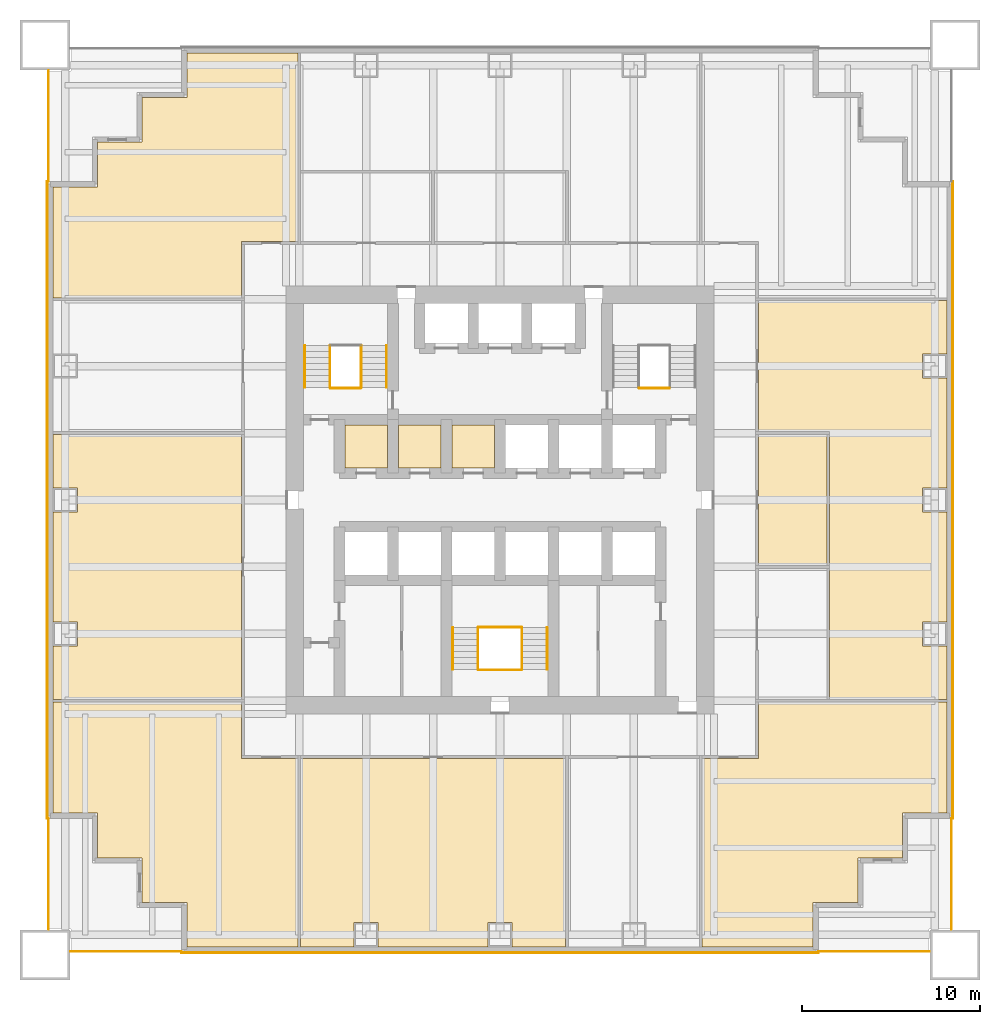
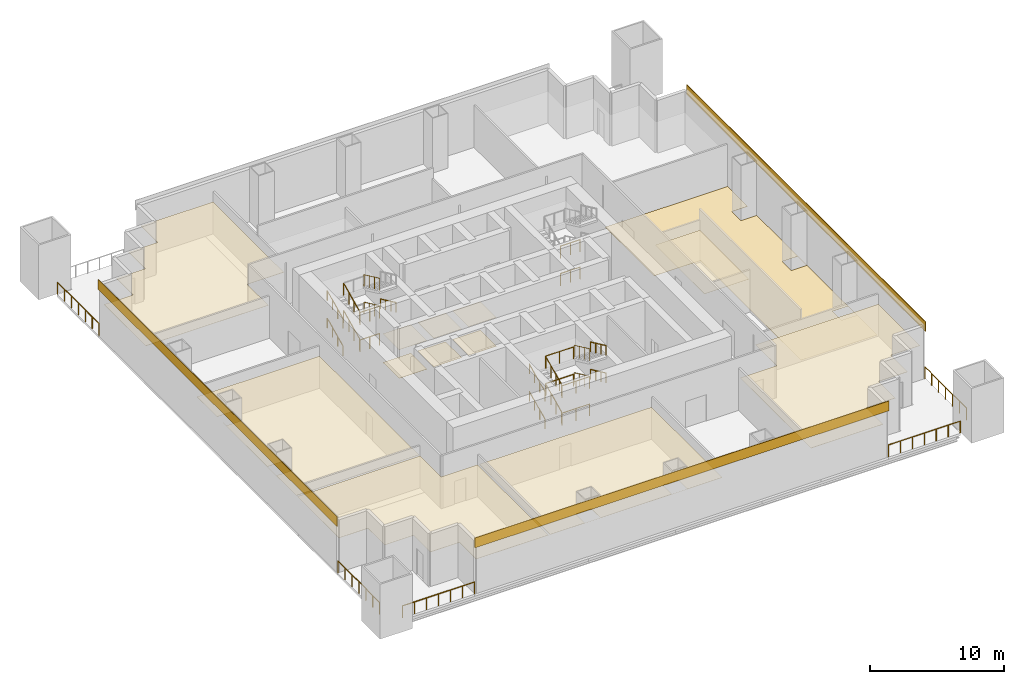
# One storey, part 5 of 6: 28 railings, 16 coverings.
"""IFC4 building model written with IfcOpenShell, lengths in metres."""

from ifc_helpers import new_model, si_unit, direction, frame, origin, origin_2d, place, context, subcontext, project, spatial, polyline, rectangle, circle, outline, extrude, material, layer, layer_set, type_object, element, save


model = new_model("IFC4")

# Units and contexts
model_context = context("Model", 3, precision=1e-05, world=origin(), true_north=direction((0.0, 1.0)))
body_context = subcontext(model_context, "Body", "Model", "MODEL_VIEW")
ifc_project = project(units=[si_unit("LENGTHUNIT", "METRE"), si_unit("AREAUNIT", "SQUARE_METRE"), si_unit("VOLUMEUNIT", "CUBIC_METRE"), si_unit("PLANEANGLEUNIT", "RADIAN"), si_unit("MASSUNIT", "GRAM", prefix="KILO")], contexts=[model_context])

# Site, building, storey
site_placement = place(None, origin())
site = spatial("IfcSite", under=ifc_project, at=site_placement, CompositionType="ELEMENT")
building_placement = place(site_placement, origin())
building = spatial("IfcBuilding", under=site, at=building_placement, Name="Tarangal Relay Tower", CompositionType="ELEMENT")
storey_placement = place(building_placement, frame((0.0, 0.0, 53.39990234375)))
storey = spatial("IfcBuildingStorey", under=building, at=storey_placement, Name="L10", CompositionType="ELEMENT", Elevation=53.39990234375)

# Coverings
ifc_material_1 = material(Name="Anti-static vinyl flooring", Category="plastic")
ifc_layer_1 = layer(ifc_material_1, 0.010009765625)
ifc_layer_set_1 = layer_set([ifc_layer_1], Name="Anti-static vinyl floor")
covering_type_1 = type_object("IfcCoveringType", Name="Anti-static vinyl floor", PredefinedType="FLOORING", material=ifc_layer_set_1)
covering_1_placement = place(storey_placement, origin())
element("IfcCovering", 1, at=covering_1_placement, inside=storey, type_object=covering_type_1, Name="Floor finish FL1 L10-D1", PredefinedType="FLOORING", context=body_context, shape_type="SweptSolid", body=[
    extrude(outline(polyline([(-8.699951171875, 1.800048828125), (-6.300048828125, 1.800048828125), (-6.300048828125, 4.199951171875), (-8.699951171875, 4.199951171875), (-8.699951171875, 1.800048828125)])), origin(), (0.0, 0.0, 1.0), 0.010009765625),
])
covering_2_placement = place(storey_placement, origin())
element("IfcCovering", 2, at=covering_2_placement, inside=storey, type_object=covering_type_1, Name="Floor finish FL1 L10-D2", PredefinedType="FLOORING", context=body_context, shape_type="SweptSolid", body=[
    extrude(outline(polyline([(-5.699951171875, 1.800048828125), (-3.300048828125, 1.800048828125), (-3.300048828125, 4.199951171875), (-5.699951171875, 4.199951171875), (-5.699951171875, 1.800048828125)])), origin(), (0.0, 0.0, 1.0), 0.010009765625),
])
covering_3_placement = place(storey_placement, origin())
element("IfcCovering", 3, at=covering_3_placement, inside=storey, type_object=covering_type_1, Name="Floor finish FL1 L10-D3", PredefinedType="FLOORING", context=body_context, shape_type="SweptSolid", body=[
    extrude(outline(polyline([(-2.699951171875, 1.800048828125), (-0.300048828125, 1.800048828125), (-0.300048828125, 4.199951171875), (-2.699951171875, 4.199951171875), (-2.699951171875, 1.800048828125)])), origin(), (0.0, 0.0, 1.0), 0.010009765625),
])
covering_4_placement = place(storey_placement, origin())
element("IfcCovering", 4, at=covering_4_placement, inside=storey, type_object=covering_type_1, Name="Floor finish FL1 L10-05", PredefinedType="FLOORING", context=body_context, shape_type="SweptSolid", body=[
    extrude(outline(polyline([(25.050048828125, -11.175048828125), (25.050048828125, 11.175048828125), (14.47509765625, 11.175048828125), (14.47509765625, 3.824951171875), (18.47509765625, 3.824951171875), (18.47509765625, -11.175048828125), (25.050048828125, -11.175048828125)]), holes=[polyline([(25.0400390625, -8.175048828125), (25.0400390625, -6.824951171875), (23.68994140625, -6.824951171875), (23.68994140625, -8.175048828125), (25.0400390625, -8.175048828125)]), polyline([(23.68994140625, -0.675048828125), (25.0400390625, -0.675048828125), (25.0400390625, 0.675048828125), (23.68994140625, 0.675048828125), (23.68994140625, -0.675048828125)]), polyline([(23.68994140625, 6.824951171875), (25.0400390625, 6.824951171875), (25.0400390625, 8.175048828125), (23.68994140625, 8.175048828125), (23.68994140625, 6.824951171875)])]), origin(), (0.0, 0.0, 1.0), 0.010009765625),
])
ifc_material_2 = material(Name="Black anodised aluminium cladding", Category="aluminium")
ifc_layer_2 = layer(ifc_material_2, 0.050048828125)
ifc_layer_set_2 = layer_set([ifc_layer_2], Name="Black metal spandrel band")
covering_type_2 = type_object("IfcCoveringType", Name="Black metal spandrel band", PredefinedType="CLADDING", material=ifc_layer_set_2)
for number, where, z_axis, x_axis, name in (
    (5, (25.375, 0.0, 4.250244140625), (0.0, 0.0, 1.0), (0.0, -1.0, 0.0), "Spandrel band SB1 E L10"),
    (6, (0.0, -25.375, 4.250244140625), (0.0, 0.0, 1.0), (-1.0, 0.0, 0.0), "Spandrel band SB1 S L10"),
    (7, (-25.375, 0.0, 4.250244140625), (0.0, 0.0, 1.0), (0.0, 1.0, 0.0), "Spandrel band SB1 W L10"),
):
    element("IfcCovering", number, at=place(storey_placement, frame(where, z_axis=z_axis, x_axis=x_axis)), inside=storey, type_object=covering_type_2, Name=name, PredefinedType="CLADDING", context=body_context, shape_type="SweptSolid", body=[
        extrude(rectangle(XDim=35.699951171875, YDim=0.050048828125, at=origin_2d()), origin(), (0.0, 0.0, 1.0), 0.89990234375),
    ])

# Railings
ifc_material_3 = material(Name="Steel guard, black finish", Category="steel")
railing_type_1 = type_object("IfcRailingType", Name="Stair guard 1100", PredefinedType="GUARDRAIL", material=ifc_material_3)
railing_1_placement = place(storey_placement, frame((-9.530029296875, 6.300048828125, 0.15625)))
element("IfcRailing", 8, at=railing_1_placement, inside=storey, type_object=railing_type_1, Name="Stair ST-A guard GR1 L10 flight 1", PredefinedType="GUARDRAIL", context=body_context, shape_type="SweptSolid", body=[
    extrude(circle(Radius=0.02392578125, at=origin_2d()), frame((0.0, 0.0, 1.076171875), z_axis=(0.0, 0.90626748934, 0.422704669676), x_axis=(-1.0, 0.0, 0.0)), (0.0, 0.0, 1.0), 2.58740234375),
    extrude(circle(Radius=0.02099609375, at=origin_2d()), origin(), (0.0, 0.0, 1.0), 1.052001953125),
    extrude(circle(Radius=0.02099609375, at=origin_2d()), frame((0.0, 0.78173828125, 0.364501953125)), (0.0, 0.0, 1.0), 1.052001953125),
    extrude(circle(Radius=0.02099609375, at=origin_2d()), frame((0.0, 1.563232421875, 0.729248046875)), (0.0, 0.0, 1.0), 1.052001953125),
    extrude(circle(Radius=0.02099609375, at=origin_2d()), frame((0.0, 2.344970703125, 1.09375)), (0.0, 0.0, 1.0), 1.052001953125),
])
railing_2_placement = place(storey_placement, frame((-7.77001953125, 8.64501953125, 1.40625)))
element("IfcRailing", 9, at=railing_2_placement, inside=storey, type_object=railing_type_1, Name="Stair ST-A guard GR1 L10 flight 2", PredefinedType="GUARDRAIL", context=body_context, shape_type="SweptSolid", body=[
    extrude(circle(Radius=0.02392578125, at=origin_2d()), frame((0.0, 0.0, 1.076171875), z_axis=(0.0, -0.90626748934, 0.422704669676), x_axis=(1.0, 0.0, 0.0)), (0.0, 0.0, 1.0), 2.58740234375),
    extrude(circle(Radius=0.02099609375, at=origin_2d()), origin(), (0.0, 0.0, 1.0), 1.052001953125),
    extrude(circle(Radius=0.02099609375, at=origin_2d()), frame((0.0, -0.78173828125, 0.364501953125)), (0.0, 0.0, 1.0), 1.052001953125),
    extrude(circle(Radius=0.02099609375, at=origin_2d()), frame((0.0, -1.563232421875, 0.729248046875)), (0.0, 0.0, 1.0), 1.052001953125),
    extrude(circle(Radius=0.02099609375, at=origin_2d()), frame((0.0, -2.344970703125, 1.09375)), (0.0, 0.0, 1.0), 1.052001953125),
])
railing_3_placement = place(storey_placement, frame((-9.530029296875, 6.300048828125, 2.65625)))
element("IfcRailing", 10, at=railing_3_placement, inside=storey, type_object=railing_type_1, Name="Stair ST-A guard GR1 L10 flight 3", PredefinedType="GUARDRAIL", context=body_context, shape_type="SweptSolid", body=[
    extrude(circle(Radius=0.02392578125, at=origin_2d()), frame((0.0, 0.0, 1.076171875), z_axis=(0.0, 0.90626748934, 0.422704669676), x_axis=(-1.0, 0.0, 0.0)), (0.0, 0.0, 1.0), 2.58740234375),
    extrude(circle(Radius=0.02099609375, at=origin_2d()), origin(), (0.0, 0.0, 1.0), 1.052001953125),
    extrude(circle(Radius=0.02099609375, at=origin_2d()), frame((0.0, 0.78173828125, 0.364501953125)), (0.0, 0.0, 1.0), 1.052001953125),
    extrude(circle(Radius=0.02099609375, at=origin_2d()), frame((0.0, 1.563232421875, 0.729248046875)), (0.0, 0.0, 1.0), 1.052001953125),
    extrude(circle(Radius=0.02099609375, at=origin_2d()), frame((0.0, 2.344970703125, 1.09375)), (0.0, 0.0, 1.0), 1.052001953125),
])
railing_4_placement = place(storey_placement, frame((-7.77001953125, 8.64501953125, 3.90625)))
element("IfcRailing", 11, at=railing_4_placement, inside=storey, type_object=railing_type_1, Name="Stair ST-A guard GR1 L10 flight 4", PredefinedType="GUARDRAIL", context=body_context, shape_type="SweptSolid", body=[
    extrude(circle(Radius=0.02392578125, at=origin_2d()), frame((0.0, 0.0, 1.076171875), z_axis=(0.0, -0.90626748934, 0.422704669676), x_axis=(1.0, 0.0, 0.0)), (0.0, 0.0, 1.0), 2.58740234375),
    extrude(circle(Radius=0.02099609375, at=origin_2d()), origin(), (0.0, 0.0, 1.0), 1.052001953125),
    extrude(circle(Radius=0.02099609375, at=origin_2d()), frame((0.0, -0.78173828125, 0.364501953125)), (0.0, 0.0, 1.0), 1.052001953125),
    extrude(circle(Radius=0.02099609375, at=origin_2d()), frame((0.0, -1.563232421875, 0.729248046875)), (0.0, 0.0, 1.0), 1.052001953125),
    extrude(circle(Radius=0.02099609375, at=origin_2d()), frame((0.0, -2.344970703125, 1.09375)), (0.0, 0.0, 1.0), 1.052001953125),
])
for number, where, name in (
    (12, (-9.5, 6.27001953125, 0.0), "Stair ST-A landing guard GR1 L10"),
    (13, (-9.5, 6.27001953125, 2.5), "Stair ST-A landing guard GR1 L10"),
    (14, (7.800048828125, 6.27001953125, 0.0), "Stair ST-B landing guard GR1 L10"),
    (15, (7.800048828125, 6.27001953125, 2.5), "Stair ST-B landing guard GR1 L10"),
):
    element("IfcRailing", number, at=place(storey_placement, frame(where)), inside=storey, type_object=railing_type_1, Name=name, PredefinedType="GUARDRAIL", context=body_context, shape_type="SweptSolid", body=[
        extrude(circle(Radius=0.02392578125, at=origin_2d()), frame((0.0, 0.0, 1.076171875), z_axis=(1.0, 0.0, 0.0), x_axis=(0.0, 1.0, 0.0)), (0.0, 0.0, 1.0), 1.699951171875),
        extrude(circle(Radius=0.02099609375, at=origin_2d()), origin(), (0.0, 0.0, 1.0), 1.052001953125),
        extrude(circle(Radius=0.02099609375, at=origin_2d()), frame((0.85009765625, 0.0, 0.0)), (0.0, 0.0, 1.0), 1.052001953125),
        extrude(circle(Radius=0.02099609375, at=origin_2d()), frame((1.699951171875, 0.0, 0.0)), (0.0, 0.0, 1.0), 1.052001953125),
    ])
railing_5_placement = place(storey_placement, frame((-1.22998046875, -9.5, 0.15625)))
element("IfcRailing", 16, at=railing_5_placement, inside=storey, type_object=railing_type_1, Name="Stair ST-C guard GR1 L10 flight 1", PredefinedType="GUARDRAIL", context=body_context, shape_type="SweptSolid", body=[
    extrude(circle(Radius=0.02392578125, at=origin_2d()), frame((0.0, 0.0, 1.076171875), z_axis=(0.0, 0.90626748934, 0.422704669676), x_axis=(-1.0, 0.0, 0.0)), (0.0, 0.0, 1.0), 2.58740234375),
    extrude(circle(Radius=0.02099609375, at=origin_2d()), origin(), (0.0, 0.0, 1.0), 1.052001953125),
    extrude(circle(Radius=0.02099609375, at=origin_2d()), frame((0.0, 0.78173828125, 0.364501953125)), (0.0, 0.0, 1.0), 1.052001953125),
    extrude(circle(Radius=0.02099609375, at=origin_2d()), frame((0.0, 1.563232421875, 0.729248046875)), (0.0, 0.0, 1.0), 1.052001953125),
    extrude(circle(Radius=0.02099609375, at=origin_2d()), frame((0.0, 2.344970703125, 1.09375)), (0.0, 0.0, 1.0), 1.052001953125),
])
railing_6_placement = place(storey_placement, frame((1.22998046875, -7.155029296875, 1.40625)))
element("IfcRailing", 17, at=railing_6_placement, inside=storey, type_object=railing_type_1, Name="Stair ST-C guard GR1 L10 flight 2", PredefinedType="GUARDRAIL", context=body_context, shape_type="SweptSolid", body=[
    extrude(circle(Radius=0.02392578125, at=origin_2d()), frame((0.0, 0.0, 1.076171875), z_axis=(0.0, -0.90626748934, 0.422704669676), x_axis=(1.0, 0.0, 0.0)), (0.0, 0.0, 1.0), 2.58740234375),
    extrude(circle(Radius=0.02099609375, at=origin_2d()), origin(), (0.0, 0.0, 1.0), 1.052001953125),
    extrude(circle(Radius=0.02099609375, at=origin_2d()), frame((0.0, -0.78173828125, 0.364501953125)), (0.0, 0.0, 1.0), 1.052001953125),
    extrude(circle(Radius=0.02099609375, at=origin_2d()), frame((0.0, -1.563232421875, 0.729248046875)), (0.0, 0.0, 1.0), 1.052001953125),
    extrude(circle(Radius=0.02099609375, at=origin_2d()), frame((0.0, -2.344970703125, 1.09375)), (0.0, 0.0, 1.0), 1.052001953125),
])
railing_7_placement = place(storey_placement, frame((-1.22998046875, -9.5, 2.65625)))
element("IfcRailing", 18, at=railing_7_placement, inside=storey, type_object=railing_type_1, Name="Stair ST-C guard GR1 L10 flight 3", PredefinedType="GUARDRAIL", context=body_context, shape_type="SweptSolid", body=[
    extrude(circle(Radius=0.02392578125, at=origin_2d()), frame((0.0, 0.0, 1.076171875), z_axis=(0.0, 0.90626748934, 0.422704669676), x_axis=(-1.0, 0.0, 0.0)), (0.0, 0.0, 1.0), 2.58740234375),
    extrude(circle(Radius=0.02099609375, at=origin_2d()), origin(), (0.0, 0.0, 1.0), 1.052001953125),
    extrude(circle(Radius=0.02099609375, at=origin_2d()), frame((0.0, 0.78173828125, 0.364501953125)), (0.0, 0.0, 1.0), 1.052001953125),
    extrude(circle(Radius=0.02099609375, at=origin_2d()), frame((0.0, 1.563232421875, 0.729248046875)), (0.0, 0.0, 1.0), 1.052001953125),
    extrude(circle(Radius=0.02099609375, at=origin_2d()), frame((0.0, 2.344970703125, 1.09375)), (0.0, 0.0, 1.0), 1.052001953125),
])
railing_8_placement = place(storey_placement, frame((1.22998046875, -7.155029296875, 3.90625)))
element("IfcRailing", 19, at=railing_8_placement, inside=storey, type_object=railing_type_1, Name="Stair ST-C guard GR1 L10 flight 4", PredefinedType="GUARDRAIL", context=body_context, shape_type="SweptSolid", body=[
    extrude(circle(Radius=0.02392578125, at=origin_2d()), frame((0.0, 0.0, 1.076171875), z_axis=(0.0, -0.90626748934, 0.422704669676), x_axis=(1.0, 0.0, 0.0)), (0.0, 0.0, 1.0), 2.58740234375),
    extrude(circle(Radius=0.02099609375, at=origin_2d()), origin(), (0.0, 0.0, 1.0), 1.052001953125),
    extrude(circle(Radius=0.02099609375, at=origin_2d()), frame((0.0, -0.78173828125, 0.364501953125)), (0.0, 0.0, 1.0), 1.052001953125),
    extrude(circle(Radius=0.02099609375, at=origin_2d()), frame((0.0, -1.563232421875, 0.729248046875)), (0.0, 0.0, 1.0), 1.052001953125),
    extrude(circle(Radius=0.02099609375, at=origin_2d()), frame((0.0, -2.344970703125, 1.09375)), (0.0, 0.0, 1.0), 1.052001953125),
])
for number, where, name in (
    (20, (-1.199951171875, -9.530029296875, 0.0), "Stair ST-C landing guard GR1 L10"),
    (21, (-1.199951171875, -7.125, 1.25), "Stair ST-C landing guard GR1 L10"),
    (22, (-1.199951171875, -9.530029296875, 2.5), "Stair ST-C landing guard GR1 L10"),
    (23, (-1.199951171875, -7.125, 3.75), "Stair ST-C landing guard GR1 L10"),
):
    element("IfcRailing", number, at=place(storey_placement, frame(where)), inside=storey, type_object=railing_type_1, Name=name, PredefinedType="GUARDRAIL", context=body_context, shape_type="SweptSolid", body=[
        extrude(circle(Radius=0.02392578125, at=origin_2d()), frame((0.0, 0.0, 1.076171875), z_axis=(1.0, 0.0, 0.0), x_axis=(0.0, 1.0, 0.0)), (0.0, 0.0, 1.0), 2.39990234375),
        extrude(circle(Radius=0.02099609375, at=origin_2d()), origin(), (0.0, 0.0, 1.0), 1.052001953125),
        extrude(circle(Radius=0.02099609375, at=origin_2d()), frame((1.199951171875, 0.0, 0.0)), (0.0, 0.0, 1.0), 1.052001953125),
        extrude(circle(Radius=0.02099609375, at=origin_2d()), frame((2.39990234375, 0.0, 0.0)), (0.0, 0.0, 1.0), 1.052001953125),
    ])
ifc_material_4 = material(Name="Steel handrail, black finish", Category="steel")
railing_type_2 = type_object("IfcRailingType", Name="Stair handrail 900", PredefinedType="HANDRAIL", material=ifc_material_4)
railing_9_placement = place(storey_placement, frame((-10.93994140625, 6.300048828125, 0.15625)))
element("IfcRailing", 24, at=railing_9_placement, inside=storey, type_object=railing_type_2, Name="Stair ST-A handrail HR1 L10 flight 1", PredefinedType="HANDRAIL", context=body_context, shape_type="SweptSolid", body=[
    extrude(circle(Radius=0.02392578125, at=origin_2d()), frame((0.0, 0.0, 0.8759765625), z_axis=(0.0, 0.90626748934, 0.422704669676), x_axis=(-1.0, 0.0, 0.0)), (0.0, 0.0, 1.0), 2.58740234375),
    extrude(circle(Radius=0.02099609375, at=origin_2d()), origin(), (0.0, 0.0, 1.0), 0.851806640625),
    extrude(circle(Radius=0.02099609375, at=origin_2d()), frame((0.0, 0.78173828125, 0.364501953125)), (0.0, 0.0, 1.0), 0.851806640625),
    extrude(circle(Radius=0.02099609375, at=origin_2d()), frame((0.0, 1.563232421875, 0.729248046875)), (0.0, 0.0, 1.0), 0.851806640625),
    extrude(circle(Radius=0.02099609375, at=origin_2d()), frame((0.0, 2.344970703125, 1.09375)), (0.0, 0.0, 1.0), 0.851806640625),
])
railing_10_placement = place(storey_placement, frame((-6.360107421875, 8.64501953125, 1.40625)))
element("IfcRailing", 25, at=railing_10_placement, inside=storey, type_object=railing_type_2, Name="Stair ST-A handrail HR1 L10 flight 2", PredefinedType="HANDRAIL", context=body_context, shape_type="SweptSolid", body=[
    extrude(circle(Radius=0.02392578125, at=origin_2d()), frame((0.0, 0.0, 0.8759765625), z_axis=(0.0, -0.90626748934, 0.422704669676), x_axis=(1.0, 0.0, 0.0)), (0.0, 0.0, 1.0), 2.58740234375),
    extrude(circle(Radius=0.02099609375, at=origin_2d()), origin(), (0.0, 0.0, 1.0), 0.851806640625),
    extrude(circle(Radius=0.02099609375, at=origin_2d()), frame((0.0, -0.78173828125, 0.364501953125)), (0.0, 0.0, 1.0), 0.851806640625),
    extrude(circle(Radius=0.02099609375, at=origin_2d()), frame((0.0, -1.563232421875, 0.729248046875)), (0.0, 0.0, 1.0), 0.851806640625),
    extrude(circle(Radius=0.02099609375, at=origin_2d()), frame((0.0, -2.344970703125, 1.09375)), (0.0, 0.0, 1.0), 0.851806640625),
])
for number, where, name in (
    (26, (-10.93994140625, 6.300048828125, 2.65625), "Stair ST-A handrail HR1 L10 flight 3"),
    (27, (-2.639892578125, -9.5, 0.15625), "Stair ST-C handrail HR1 L10 flight 1"),
):
    element("IfcRailing", number, at=place(storey_placement, frame(where)), inside=storey, type_object=railing_type_2, Name=name, PredefinedType="HANDRAIL", context=body_context, shape_type="SweptSolid", body=[
        extrude(circle(Radius=0.02392578125, at=origin_2d()), frame((0.0, 0.0, 0.8759765625), z_axis=(0.0, 0.90626748934, 0.422704669676), x_axis=(-1.0, 0.0, 0.0)), (0.0, 0.0, 1.0), 2.58740234375),
        extrude(circle(Radius=0.02099609375, at=origin_2d()), origin(), (0.0, 0.0, 1.0), 0.851806640625),
        extrude(circle(Radius=0.02099609375, at=origin_2d()), frame((0.0, 0.78173828125, 0.364501953125)), (0.0, 0.0, 1.0), 0.851806640625),
        extrude(circle(Radius=0.02099609375, at=origin_2d()), frame((0.0, 1.563232421875, 0.729248046875)), (0.0, 0.0, 1.0), 0.851806640625),
        extrude(circle(Radius=0.02099609375, at=origin_2d()), frame((0.0, 2.344970703125, 1.09375)), (0.0, 0.0, 1.0), 0.851806640625),
    ])
railing_11_placement = place(storey_placement, frame((2.639892578125, -7.155029296875, 1.40625)))
element("IfcRailing", 28, at=railing_11_placement, inside=storey, type_object=railing_type_2, Name="Stair ST-C handrail HR1 L10 flight 2", PredefinedType="HANDRAIL", context=body_context, shape_type="SweptSolid", body=[
    extrude(circle(Radius=0.02392578125, at=origin_2d()), frame((0.0, 0.0, 0.8759765625), z_axis=(0.0, -0.90626748934, 0.422704669676), x_axis=(1.0, 0.0, 0.0)), (0.0, 0.0, 1.0), 2.58740234375),
    extrude(circle(Radius=0.02099609375, at=origin_2d()), origin(), (0.0, 0.0, 1.0), 0.851806640625),
    extrude(circle(Radius=0.02099609375, at=origin_2d()), frame((0.0, -0.78173828125, 0.364501953125)), (0.0, 0.0, 1.0), 0.851806640625),
    extrude(circle(Radius=0.02099609375, at=origin_2d()), frame((0.0, -1.563232421875, 0.729248046875)), (0.0, 0.0, 1.0), 0.851806640625),
    extrude(circle(Radius=0.02099609375, at=origin_2d()), frame((0.0, -2.344970703125, 1.09375)), (0.0, 0.0, 1.0), 0.851806640625),
])
railing_12_placement = place(storey_placement, frame((-2.639892578125, -9.5, 2.65625)))
element("IfcRailing", 29, at=railing_12_placement, inside=storey, type_object=railing_type_2, Name="Stair ST-C handrail HR1 L10 flight 3", PredefinedType="HANDRAIL", context=body_context, shape_type="SweptSolid", body=[
    extrude(circle(Radius=0.02392578125, at=origin_2d()), frame((0.0, 0.0, 0.8759765625), z_axis=(0.0, 0.90626748934, 0.422704669676), x_axis=(-1.0, 0.0, 0.0)), (0.0, 0.0, 1.0), 2.58740234375),
    extrude(circle(Radius=0.02099609375, at=origin_2d()), origin(), (0.0, 0.0, 1.0), 0.851806640625),
    extrude(circle(Radius=0.02099609375, at=origin_2d()), frame((0.0, 0.78173828125, 0.364501953125)), (0.0, 0.0, 1.0), 0.851806640625),
    extrude(circle(Radius=0.02099609375, at=origin_2d()), frame((0.0, 1.563232421875, 0.729248046875)), (0.0, 0.0, 1.0), 0.851806640625),
    extrude(circle(Radius=0.02099609375, at=origin_2d()), frame((0.0, 2.344970703125, 1.09375)), (0.0, 0.0, 1.0), 0.851806640625),
])
railing_13_placement = place(storey_placement, frame((2.639892578125, -7.155029296875, 3.90625)))
element("IfcRailing", 30, at=railing_13_placement, inside=storey, type_object=railing_type_2, Name="Stair ST-C handrail HR1 L10 flight 4", PredefinedType="HANDRAIL", context=body_context, shape_type="SweptSolid", body=[
    extrude(circle(Radius=0.02392578125, at=origin_2d()), frame((0.0, 0.0, 0.8759765625), z_axis=(0.0, -0.90626748934, 0.422704669676), x_axis=(1.0, 0.0, 0.0)), (0.0, 0.0, 1.0), 2.58740234375),
    extrude(circle(Radius=0.02099609375, at=origin_2d()), origin(), (0.0, 0.0, 1.0), 0.851806640625),
    extrude(circle(Radius=0.02099609375, at=origin_2d()), frame((0.0, -0.78173828125, 0.364501953125)), (0.0, 0.0, 1.0), 0.851806640625),
    extrude(circle(Radius=0.02099609375, at=origin_2d()), frame((0.0, -1.563232421875, 0.729248046875)), (0.0, 0.0, 1.0), 0.851806640625),
    extrude(circle(Radius=0.02099609375, at=origin_2d()), frame((0.0, -2.344970703125, 1.09375)), (0.0, 0.0, 1.0), 0.851806640625),
])

# Coverings
ifc_material_5 = material(Name="Mineral fibre ceiling tiles", Category="gypsum")
ifc_layer_3 = layer(ifc_material_5, 0.02001953125)
ifc_layer_set_3 = layer_set([ifc_layer_3], Name="Suspended ceiling")
covering_type_3 = type_object("IfcCoveringType", Name="Suspended ceiling", PredefinedType="CEILING", material=ifc_layer_set_3)
covering_5_placement = place(storey_placement, frame((0.0, 0.0, 2.60009765625)))
element("IfcCovering", 31, at=covering_5_placement, inside=storey, type_object=covering_type_3, Name="Suspended ceiling CL1 L10-D1", PredefinedType="CEILING", context=body_context, shape_type="SweptSolid", body=[
    extrude(outline(polyline([(-8.699951171875, 1.800048828125), (-6.300048828125, 1.800048828125), (-6.300048828125, 4.199951171875), (-8.699951171875, 4.199951171875), (-8.699951171875, 1.800048828125)])), origin(), (0.0, 0.0, 1.0), 0.02001953125),
])
covering_6_placement = place(storey_placement, frame((0.0, 0.0, 2.60009765625)))
element("IfcCovering", 32, at=covering_6_placement, inside=storey, type_object=covering_type_3, Name="Suspended ceiling CL1 L10-D2", PredefinedType="CEILING", context=body_context, shape_type="SweptSolid", body=[
    extrude(outline(polyline([(-5.699951171875, 1.800048828125), (-3.300048828125, 1.800048828125), (-3.300048828125, 4.199951171875), (-5.699951171875, 4.199951171875), (-5.699951171875, 1.800048828125)])), origin(), (0.0, 0.0, 1.0), 0.02001953125),
])
covering_7_placement = place(storey_placement, frame((0.0, 0.0, 2.60009765625)))
element("IfcCovering", 33, at=covering_7_placement, inside=storey, type_object=covering_type_3, Name="Suspended ceiling CL1 L10-D3", PredefinedType="CEILING", context=body_context, shape_type="SweptSolid", body=[
    extrude(outline(polyline([(-2.699951171875, 1.800048828125), (-0.300048828125, 1.800048828125), (-0.300048828125, 4.199951171875), (-2.699951171875, 4.199951171875), (-2.699951171875, 1.800048828125)])), origin(), (0.0, 0.0, 1.0), 0.02001953125),
])
covering_8_placement = place(storey_placement, frame((0.0, 0.0, 2.900146484375)))
element("IfcCovering", 34, at=covering_8_placement, inside=storey, type_object=covering_type_3, Name="Suspended ceiling CL1 L10-06", PredefinedType="CEILING", context=body_context, shape_type="SweptSolid", body=[
    extrude(outline(polyline([(18.324951171875, 3.675048828125), (14.47509765625, 3.675048828125), (14.47509765625, -3.675048828125), (18.324951171875, -3.675048828125), (18.324951171875, 3.675048828125)])), origin(), (0.0, 0.0, 1.0), 0.02001953125),
])
covering_9_placement = place(storey_placement, frame((0.0, 0.0, 2.900146484375)))
element("IfcCovering", 35, at=covering_9_placement, inside=storey, type_object=covering_type_3, Name="Suspended ceiling CL1 L10-09", PredefinedType="CEILING", context=body_context, shape_type="SweptSolid", body=[
    extrude(outline(polyline([(-11.175048828125, -25.050048828125), (3.675048828125, -25.050048828125), (3.675048828125, -14.47509765625), (-11.175048828125, -14.47509765625), (-11.175048828125, -25.050048828125)]), holes=[polyline([(-6.824951171875, -25.0400390625), (-6.824951171875, -23.68994140625), (-8.175048828125, -23.68994140625), (-8.175048828125, -25.0400390625), (-6.824951171875, -25.0400390625)]), polyline([(0.675048828125, -25.0400390625), (0.675048828125, -23.68994140625), (-0.675048828125, -23.68994140625), (-0.675048828125, -25.0400390625), (0.675048828125, -25.0400390625)])]), origin(), (0.0, 0.0, 1.0), 0.02001953125),
])
covering_10_placement = place(storey_placement, frame((0.0, 0.0, 2.900146484375)))
element("IfcCovering", 36, at=covering_10_placement, inside=storey, type_object=covering_type_3, Name="Suspended ceiling CL1 L10-10", PredefinedType="CEILING", context=body_context, shape_type="SweptSolid", body=[
    extrude(outline(polyline([(-25.050048828125, 3.675048828125), (-25.050048828125, -11.175048828125), (-14.47509765625, -11.175048828125), (-14.47509765625, 3.675048828125), (-25.050048828125, 3.675048828125)]), holes=[polyline([(-23.68994140625, -8.175048828125), (-23.68994140625, -6.824951171875), (-25.0400390625, -6.824951171875), (-25.0400390625, -8.175048828125), (-23.68994140625, -8.175048828125)]), polyline([(-23.68994140625, -0.675048828125), (-23.68994140625, 0.675048828125), (-25.0400390625, 0.675048828125), (-25.0400390625, -0.675048828125), (-23.68994140625, -0.675048828125)])]), origin(), (0.0, 0.0, 1.0), 0.02001953125),
])
covering_11_placement = place(storey_placement, frame((0.0, 0.0, 2.900146484375)))
element("IfcCovering", 37, at=covering_11_placement, inside=storey, type_object=covering_type_3, Name="Suspended ceiling CL1 L10-13", PredefinedType="CEILING", context=body_context, shape_type="SweptSolid", body=[
    extrude(outline(polyline([(25.050048828125, -11.324951171875), (14.47509765625, -11.324951171875), (14.47509765625, -14.47509765625), (11.324951171875, -14.47509765625), (11.324951171875, -25.050048828125), (17.550048828125, -25.050048828125), (17.550048828125, -22.550048828125), (20.050048828125, -22.550048828125), (20.050048828125, -20.050048828125), (22.550048828125, -20.050048828125), (22.550048828125, -17.550048828125), (25.050048828125, -17.550048828125), (25.050048828125, -11.324951171875)])), origin(), (0.0, 0.0, 1.0), 0.02001953125),
])
covering_12_placement = place(storey_placement, frame((0.0, 0.0, 2.900146484375)))
element("IfcCovering", 38, at=covering_12_placement, inside=storey, type_object=covering_type_3, Name="Suspended ceiling CL1 L10-14", PredefinedType="CEILING", context=body_context, shape_type="SweptSolid", body=[
    extrude(outline(polyline([(-17.550048828125, -22.550048828125), (-17.550048828125, -25.050048828125), (-11.324951171875, -25.050048828125), (-11.324951171875, -14.47509765625), (-14.47509765625, -14.47509765625), (-14.47509765625, -11.324951171875), (-25.050048828125, -11.324951171875), (-25.050048828125, -17.550048828125), (-22.550048828125, -17.550048828125), (-22.550048828125, -20.050048828125), (-20.050048828125, -20.050048828125), (-20.050048828125, -22.550048828125), (-17.550048828125, -22.550048828125)])), origin(), (0.0, 0.0, 1.0), 0.02001953125),
])
covering_13_placement = place(storey_placement, frame((0.0, 0.0, 2.900146484375)))
element("IfcCovering", 39, at=covering_13_placement, inside=storey, type_object=covering_type_3, Name="Suspended ceiling CL1 L10-15", PredefinedType="CEILING", context=body_context, shape_type="SweptSolid", body=[
    extrude(outline(polyline([(-22.550048828125, 17.550048828125), (-25.050048828125, 17.550048828125), (-25.050048828125, 11.324951171875), (-14.47509765625, 11.324951171875), (-14.47509765625, 14.47509765625), (-11.324951171875, 14.47509765625), (-11.324951171875, 25.050048828125), (-17.550048828125, 25.050048828125), (-17.550048828125, 22.550048828125), (-20.050048828125, 22.550048828125), (-20.050048828125, 20.050048828125), (-22.550048828125, 20.050048828125), (-22.550048828125, 17.550048828125)])), origin(), (0.0, 0.0, 1.0), 0.02001953125),
])

# Railings
ifc_material_6 = material(Name="Black steel guard with glass infill", Category="steel")
railing_type_3 = type_object("IfcRailingType", Name="Terrace guard 1100", PredefinedType="GUARDRAIL", material=ifc_material_6)
railing_14_placement = place(storey_placement, frame((25.300048828125, -17.85009765625, 0.0)))
element("IfcRailing", 40, at=railing_14_placement, inside=storey, type_object=railing_type_3, Name="Terrace guard GR2 SE L10", PredefinedType="GUARDRAIL", context=body_context, shape_type="SweptSolid", body=[
    extrude(circle(Radius=0.02392578125, at=origin_2d()), frame((0.0, 0.0, 1.076171875), z_axis=(0.0, -1.0, 0.0), x_axis=(1.0, 0.0, 0.0)), (0.0, 0.0, 1.0), 6.199951171875),
    extrude(circle(Radius=0.02099609375, at=origin_2d()), origin(), (0.0, 0.0, 1.0), 1.052001953125),
    extrude(circle(Radius=0.02099609375, at=origin_2d()), frame((0.0, -1.033203125, 0.0)), (0.0, 0.0, 1.0), 1.052001953125),
    extrude(circle(Radius=0.02099609375, at=origin_2d()), frame((0.0, -2.066650390625, 0.0)), (0.0, 0.0, 1.0), 1.052001953125),
    extrude(circle(Radius=0.02099609375, at=origin_2d()), frame((0.0, -3.10009765625, 0.0)), (0.0, 0.0, 1.0), 1.052001953125),
    extrude(circle(Radius=0.02099609375, at=origin_2d()), frame((0.0, -4.13330078125, 0.0)), (0.0, 0.0, 1.0), 1.052001953125),
    extrude(circle(Radius=0.02099609375, at=origin_2d()), frame((0.0, -5.16650390625, 0.0)), (0.0, 0.0, 1.0), 1.052001953125),
    extrude(circle(Radius=0.02099609375, at=origin_2d()), frame((0.0, -6.199951171875, 0.0)), (0.0, 0.0, 1.0), 1.052001953125),
])
for number, where, name in (
    (41, (24.050048828125, -25.300048828125, 0.0), "Terrace guard GR2 SE L10"),
    (42, (-17.85009765625, -25.300048828125, 0.0), "Terrace guard GR2 SW L10"),
):
    element("IfcRailing", number, at=place(storey_placement, frame(where)), inside=storey, type_object=railing_type_3, Name=name, PredefinedType="GUARDRAIL", context=body_context, shape_type="SweptSolid", body=[
        extrude(circle(Radius=0.02392578125, at=origin_2d()), frame((0.0, 0.0, 1.076171875), z_axis=(-1.0, 0.0, 0.0), x_axis=(0.0, -1.0, 0.0)), (0.0, 0.0, 1.0), 6.199951171875),
        extrude(circle(Radius=0.02099609375, at=origin_2d()), origin(), (0.0, 0.0, 1.0), 1.052001953125),
        extrude(circle(Radius=0.02099609375, at=origin_2d()), frame((-1.033203125, 0.0, 0.0)), (0.0, 0.0, 1.0), 1.052001953125),
        extrude(circle(Radius=0.02099609375, at=origin_2d()), frame((-2.066650390625, 0.0, 0.0)), (0.0, 0.0, 1.0), 1.052001953125),
        extrude(circle(Radius=0.02099609375, at=origin_2d()), frame((-3.10009765625, 0.0, 0.0)), (0.0, 0.0, 1.0), 1.052001953125),
        extrude(circle(Radius=0.02099609375, at=origin_2d()), frame((-4.13330078125, 0.0, 0.0)), (0.0, 0.0, 1.0), 1.052001953125),
        extrude(circle(Radius=0.02099609375, at=origin_2d()), frame((-5.16650390625, 0.0, 0.0)), (0.0, 0.0, 1.0), 1.052001953125),
        extrude(circle(Radius=0.02099609375, at=origin_2d()), frame((-6.199951171875, 0.0, 0.0)), (0.0, 0.0, 1.0), 1.052001953125),
    ])
for number, where, name in (
    (43, (-25.300048828125, -24.050048828125, 0.0), "Terrace guard GR2 SW L10"),
    (44, (-25.300048828125, 17.85009765625, 0.0), "Terrace guard GR2 NW L10"),
):
    element("IfcRailing", number, at=place(storey_placement, frame(where)), inside=storey, type_object=railing_type_3, Name=name, PredefinedType="GUARDRAIL", context=body_context, shape_type="SweptSolid", body=[
        extrude(circle(Radius=0.02392578125, at=origin_2d()), frame((0.0, 0.0, 1.076171875), z_axis=(0.0, 1.0, 0.0), x_axis=(-1.0, 0.0, 0.0)), (0.0, 0.0, 1.0), 6.199951171875),
        extrude(circle(Radius=0.02099609375, at=origin_2d()), origin(), (0.0, 0.0, 1.0), 1.052001953125),
        extrude(circle(Radius=0.02099609375, at=origin_2d()), frame((0.0, 1.033203125, 0.0)), (0.0, 0.0, 1.0), 1.052001953125),
        extrude(circle(Radius=0.02099609375, at=origin_2d()), frame((0.0, 2.066650390625, 0.0)), (0.0, 0.0, 1.0), 1.052001953125),
        extrude(circle(Radius=0.02099609375, at=origin_2d()), frame((0.0, 3.10009765625, 0.0)), (0.0, 0.0, 1.0), 1.052001953125),
        extrude(circle(Radius=0.02099609375, at=origin_2d()), frame((0.0, 4.13330078125, 0.0)), (0.0, 0.0, 1.0), 1.052001953125),
        extrude(circle(Radius=0.02099609375, at=origin_2d()), frame((0.0, 5.16650390625, 0.0)), (0.0, 0.0, 1.0), 1.052001953125),
        extrude(circle(Radius=0.02099609375, at=origin_2d()), frame((0.0, 6.199951171875, 0.0)), (0.0, 0.0, 1.0), 1.052001953125),
    ])

save(model, "model.ifc")
